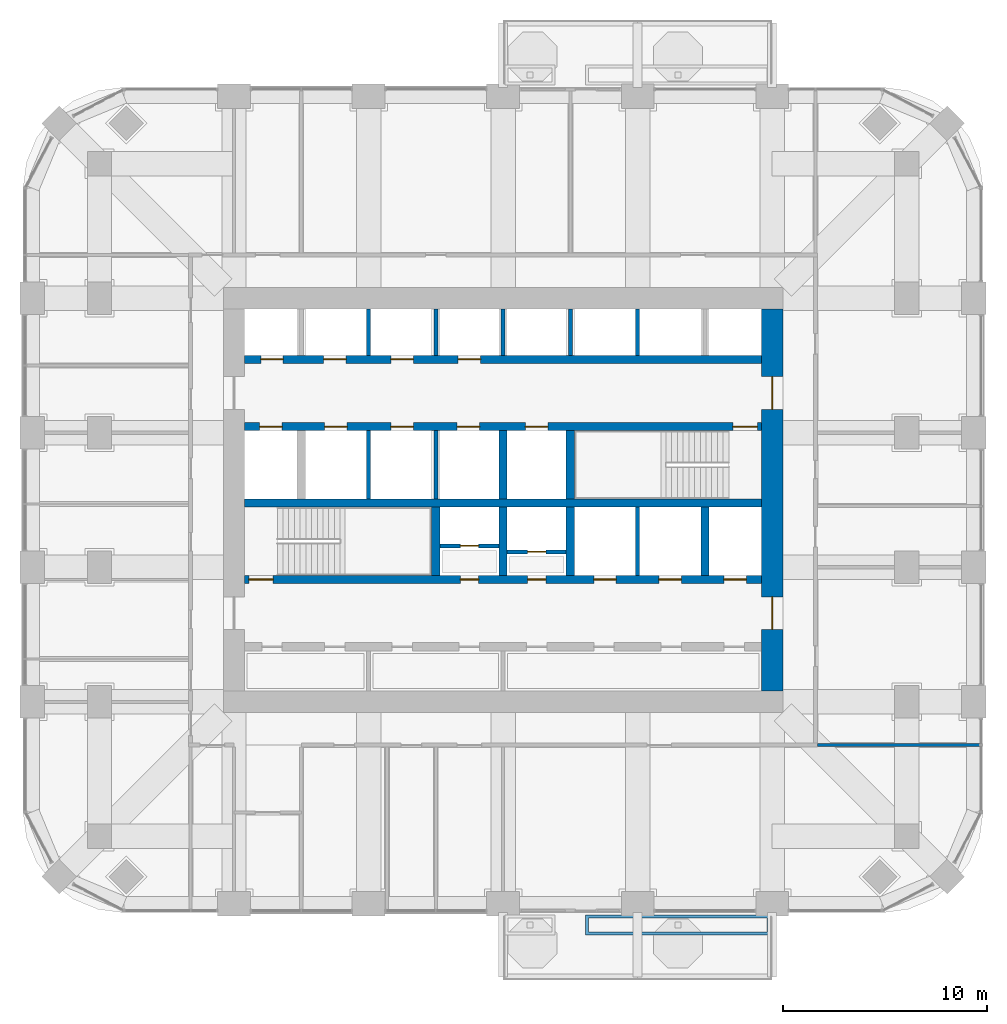
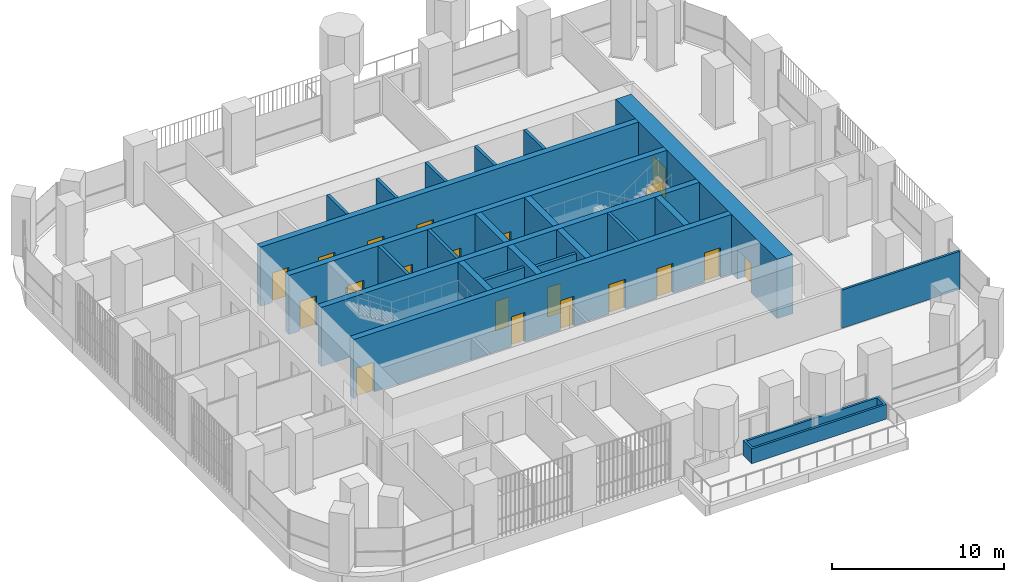
# One storey, part 14 of 19: 23 walls, 20 doors, 20 openings.
"""IFC4 building model written with IfcOpenShell, lengths in metres."""

from ifc_helpers import new_model, si_unit, direction, frame, frame_2d, origin, place, context, subcontext, project, spatial, polyline, rectangle, outline, extrude, material, layer, layer_set, type_object, element, fill, save


model = new_model("IFC4")

# Units and contexts
model_context = context("Model", 3, precision=1e-05, world=origin(), true_north=direction((0.0, 1.0)))
body_context = subcontext(model_context, "Body", "Model", "MODEL_VIEW")
ifc_project = project(units=[si_unit("LENGTHUNIT", "METRE"), si_unit("AREAUNIT", "SQUARE_METRE"), si_unit("VOLUMEUNIT", "CUBIC_METRE"), si_unit("PLANEANGLEUNIT", "RADIAN"), si_unit("MASSUNIT", "GRAM", prefix="KILO")], contexts=[model_context])

# Site, building, storey
site_placement = place(None, origin())
site = spatial("IfcSite", under=ifc_project, at=site_placement, CompositionType="ELEMENT")
building_placement = place(site_placement, origin())
building = spatial("IfcBuilding", under=site, at=building_placement, Name="Cobogo Forest Laboratory Tower", CompositionType="ELEMENT")
storey_placement = place(building_placement, frame((0.0, 0.0, 164.10009765625)))
storey = spatial("IfcBuildingStorey", under=building, at=storey_placement, Name="L37", CompositionType="ELEMENT", Elevation=164.10009765625)

# Wall, openings, doors
ifc_material_1 = material(Name="Concrete HA-50 (C50/60)", Category="concrete")
ifc_layer_1 = layer(ifc_material_1, 0.39990234375)
ifc_layer_set_1 = layer_set([ifc_layer_1], Name="CI400 core inner wall 400")
wall_type_1 = type_object("IfcWallType", Name="CI400 core inner wall 400", PredefinedType="SHEAR", material=ifc_layer_set_1)
wall_1_placement = place(storey_placement, frame((13.72509765625, 19.199951171875, 0.0), z_axis=(0.0, 0.0, 1.0), x_axis=(1.0, 0.0, 0.0)))
wall_1 = element("IfcWall", 1, at=wall_1_placement, inside=storey, type_object=wall_type_1, Name="Core wall CI-19.2 L37", PredefinedType="SHEAR", context=body_context, shape_type="SweptSolid", body=[
    extrude(rectangle(XDim=25.349853515625, YDim=0.39990234375, at=frame_2d((12.6748046875, 0.0))), origin(), (0.0, 0.0, 1.0), 4.199951171875),
])
opening_1_placement = place(wall_1_placement, frame((10.574951171875, 0.0, 0.0)))
opening_1 = element("IfcOpeningElement", 2, at=opening_1_placement, cuts=wall_1, Name="Opening L37-D23", PredefinedType="OPENING", context=body_context, shape_type="SweptSolid", body=[
    extrude(rectangle(XDim=0.89990234375, YDim=2.10009765625, at=frame_2d((0.449951171875, 1.050048828125))), frame((0.0, 0.2099609375, 0.0), z_axis=(0.0, -1.0, 0.0), x_axis=(1.0, 0.0, 0.0)), (0.0, 0.0, 1.0), 0.419921875),
])
opening_2_placement = place(wall_1_placement, frame((13.875, 0.0, 0.0)))
opening_2 = element("IfcOpeningElement", 3, at=opening_2_placement, cuts=wall_1, Name="Opening L37-D24", PredefinedType="OPENING", context=body_context, shape_type="SweptSolid", body=[
    extrude(rectangle(XDim=0.89990234375, YDim=2.10009765625, at=frame_2d((0.449951171875, 1.050048828125))), frame((0.0, 0.2099609375, 0.0), z_axis=(0.0, -1.0, 0.0), x_axis=(1.0, 0.0, 0.0)), (0.0, 0.0, 1.0), 0.419921875),
])
opening_3_placement = place(wall_1_placement, frame((0.199951171875, 0.0, 0.0)))
opening_3 = element("IfcOpeningElement", 4, at=opening_3_placement, cuts=wall_1, Name="Opening L37-D22", PredefinedType="OPENING", context=body_context, shape_type="SweptSolid", body=[
    extrude(rectangle(XDim=1.199951171875, YDim=2.10009765625, at=frame_2d((0.60009765625, 1.050048828125))), frame((0.0, 0.2099609375, 0.0), z_axis=(0.0, -1.0, 0.0), x_axis=(1.0, 0.0, 0.0)), (0.0, 0.0, 1.0), 0.419921875),
])
opening_4_placement = place(wall_1_placement, frame((23.512451171875, 0.0, 0.0)))
opening_4 = element("IfcOpeningElement", 5, at=opening_4_placement, cuts=wall_1, Name="Opening L37-LD-FL2", PredefinedType="OPENING", context=body_context, shape_type="SweptSolid", body=[
    extrude(rectangle(XDim=1.10009765625, YDim=2.10009765625, at=frame_2d((0.550048828125, 1.050048828125))), frame((0.0, 0.2099609375, 0.0), z_axis=(0.0, -1.0, 0.0), x_axis=(1.0, 0.0, 0.0)), (0.0, 0.0, 1.0), 0.419921875),
])
opening_5_placement = place(wall_1_placement, frame((17.125, 0.0, 0.0)))
opening_5 = element("IfcOpeningElement", 6, at=opening_5_placement, cuts=wall_1, Name="Opening L37-LD-LS1", PredefinedType="OPENING", context=body_context, shape_type="SweptSolid", body=[
    extrude(rectangle(XDim=1.10009765625, YDim=2.10009765625, at=frame_2d((0.550048828125, 1.050048828125))), frame((0.0, 0.2099609375, 0.0), z_axis=(0.0, -1.0, 0.0), x_axis=(1.0, 0.0, 0.0)), (0.0, 0.0, 1.0), 0.419921875),
])
opening_6_placement = place(wall_1_placement, frame((20.324951171875, 0.0, 0.0)))
opening_6 = element("IfcOpeningElement", 7, at=opening_6_placement, cuts=wall_1, Name="Opening L37-LD-LS2", PredefinedType="OPENING", context=body_context, shape_type="SweptSolid", body=[
    extrude(rectangle(XDim=1.10009765625, YDim=2.10009765625, at=frame_2d((0.550048828125, 1.050048828125))), frame((0.0, 0.2099609375, 0.0), z_axis=(0.0, -1.0, 0.0), x_axis=(1.0, 0.0, 0.0)), (0.0, 0.0, 1.0), 0.419921875),
])
ifc_material_2 = material(Name="Steel fire door", Category="steel")
door_type_1 = type_object("IfcDoorType", Name="DS1 protected stair door 1200 EI2 60", OperationType="SINGLE_SWING_LEFT", PredefinedType="DOOR", material=ifc_material_2)
door_1_placement = place(opening_3_placement, origin())
door_1 = element("IfcDoor", 8, at=door_1_placement, inside=storey, type_object=door_type_1, Name="Door L37-ST1", OperationType="SINGLE_SWING_LEFT", OverallHeight=2.10009765625, OverallWidth=1.199951171875, PredefinedType="DOOR", context=body_context, shape_type="SweptSolid", body=[
    extrude(rectangle(XDim=1.199951171875, YDim=2.10009765625, at=frame_2d((0.60009765625, 1.050048828125))), frame((0.0, 0.02490234375, 0.0), z_axis=(0.0, -1.0, 0.0), x_axis=(1.0, 0.0, 0.0)), (0.0, 0.0, 1.0), 0.050048828125),
])
fill(opening_3, door_1)
door_type_2 = type_object("IfcDoorType", Name="FD4 riser access door 900 EI2 60", OperationType="SINGLE_SWING_LEFT", PredefinedType="DOOR", material=ifc_material_2)
door_2_placement = place(opening_1_placement, origin())
door_2 = element("IfcDoor", 9, at=door_2_placement, inside=storey, type_object=door_type_2, Name="Door L37-R1V", OperationType="SINGLE_SWING_LEFT", OverallHeight=2.10009765625, OverallWidth=0.89990234375, PredefinedType="DOOR", context=body_context, shape_type="SweptSolid", body=[
    extrude(rectangle(XDim=0.89990234375, YDim=2.10009765625, at=frame_2d((0.449951171875, 1.050048828125))), frame((0.0, 0.02490234375, 0.0), z_axis=(0.0, -1.0, 0.0), x_axis=(1.0, 0.0, 0.0)), (0.0, 0.0, 1.0), 0.050048828125),
])
fill(opening_1, door_2)
door_3_placement = place(opening_2_placement, origin())
door_3 = element("IfcDoor", 10, at=door_3_placement, inside=storey, type_object=door_type_2, Name="Door L37-R2V", OperationType="SINGLE_SWING_RIGHT", OverallHeight=2.10009765625, OverallWidth=0.89990234375, PredefinedType="DOOR", context=body_context, shape_type="SweptSolid", body=[
    extrude(rectangle(XDim=0.89990234375, YDim=2.10009765625, at=frame_2d((0.449951171875, 1.050048828125))), frame((0.0, 0.02490234375, 0.0), z_axis=(0.0, -1.0, 0.0), x_axis=(1.0, 0.0, 0.0)), (0.0, 0.0, 1.0), 0.050048828125),
])
fill(opening_2, door_3)
ifc_material_3 = material(Name="Stainless steel lift door", Category="steel")
door_type_3 = type_object("IfcDoorType", Name="LD lift landing door 1100", OperationType="DOUBLE_DOOR_SLIDING", PredefinedType="DOOR", material=ifc_material_3)
door_4_placement = place(opening_4_placement, origin())
door_4 = element("IfcDoor", 11, at=door_4_placement, inside=storey, type_object=door_type_3, Name="Lift landing door FL2 L37", OperationType="DOUBLE_DOOR_SLIDING", OverallHeight=2.10009765625, OverallWidth=1.10009765625, PredefinedType="DOOR", context=body_context, shape_type="SweptSolid", body=[
    extrude(rectangle(XDim=1.10009765625, YDim=2.10009765625, at=frame_2d((0.550048828125, 1.050048828125))), frame((0.0, 0.02490234375, 0.0), z_axis=(0.0, -1.0, 0.0), x_axis=(1.0, 0.0, 0.0)), (0.0, 0.0, 1.0), 0.050048828125),
])
fill(opening_4, door_4)
door_5_placement = place(opening_5_placement, origin())
door_5 = element("IfcDoor", 12, at=door_5_placement, inside=storey, type_object=door_type_3, Name="Lift landing door LS1 L37", OperationType="DOUBLE_DOOR_SLIDING", OverallHeight=2.10009765625, OverallWidth=1.10009765625, PredefinedType="DOOR", context=body_context, shape_type="SweptSolid", body=[
    extrude(rectangle(XDim=1.10009765625, YDim=2.10009765625, at=frame_2d((0.550048828125, 1.050048828125))), frame((0.0, 0.02490234375, 0.0), z_axis=(0.0, -1.0, 0.0), x_axis=(1.0, 0.0, 0.0)), (0.0, 0.0, 1.0), 0.050048828125),
])
fill(opening_5, door_5)
door_6_placement = place(opening_6_placement, origin())
door_6 = element("IfcDoor", 13, at=door_6_placement, inside=storey, type_object=door_type_3, Name="Lift landing door LS2 L37", OperationType="DOUBLE_DOOR_SLIDING", OverallHeight=2.10009765625, OverallWidth=1.10009765625, PredefinedType="DOOR", context=body_context, shape_type="SweptSolid", body=[
    extrude(rectangle(XDim=1.10009765625, YDim=2.10009765625, at=frame_2d((0.550048828125, 1.050048828125))), frame((0.0, 0.02490234375, 0.0), z_axis=(0.0, -1.0, 0.0), x_axis=(1.0, 0.0, 0.0)), (0.0, 0.0, 1.0), 0.050048828125),
])
fill(opening_6, door_6)

# Wall
wall_2_placement = place(storey_placement, frame((13.72509765625, 22.949951171875, 0.0), z_axis=(0.0, 0.0, 1.0), x_axis=(1.0, 0.0, 0.0)))
element("IfcWall", 14, at=wall_2_placement, inside=storey, type_object=wall_type_1, Name="Core wall CI-22.95 L37", PredefinedType="SHEAR", context=body_context, shape_type="SweptSolid", body=[
    extrude(rectangle(XDim=25.349853515625, YDim=0.39990234375, at=frame_2d((12.6748046875, 0.0))), origin(), (0.0, 0.0, 1.0), 4.199951171875),
])

# Wall, openings, doors
wall_3_placement = place(storey_placement, frame((13.72509765625, 26.699951171875, 0.0), z_axis=(0.0, 0.0, 1.0), x_axis=(1.0, 0.0, 0.0)))
wall_3 = element("IfcWall", 15, at=wall_3_placement, inside=storey, type_object=wall_type_1, Name="Core wall CI-26.7 L37", PredefinedType="SHEAR", context=body_context, shape_type="SweptSolid", body=[
    extrude(rectangle(XDim=25.349853515625, YDim=0.39990234375, at=frame_2d((12.6748046875, 0.0))), origin(), (0.0, 0.0, 1.0), 4.199951171875),
])
opening_7_placement = place(wall_3_placement, frame((23.949951171875, 0.0, 0.0)))
opening_7 = element("IfcOpeningElement", 16, at=opening_7_placement, cuts=wall_3, Name="Opening L37-D31", PredefinedType="OPENING", context=body_context, shape_type="SweptSolid", body=[
    extrude(rectangle(XDim=1.199951171875, YDim=2.10009765625, at=frame_2d((0.60009765625, 1.050048828125))), frame((0.0, 0.2099609375, 0.0), z_axis=(0.0, -1.0, 0.0), x_axis=(1.0, 0.0, 0.0)), (0.0, 0.0, 1.0), 0.419921875),
])
opening_8_placement = place(wall_3_placement, frame((0.737548828125, 0.0, 0.0)))
opening_8 = element("IfcOpeningElement", 17, at=opening_8_placement, cuts=wall_3, Name="Opening L37-LD-FL1", PredefinedType="OPENING", context=body_context, shape_type="SweptSolid", body=[
    extrude(rectangle(XDim=1.10009765625, YDim=2.10009765625, at=frame_2d((0.550048828125, 1.050048828125))), frame((0.0, 0.2099609375, 0.0), z_axis=(0.0, -1.0, 0.0), x_axis=(1.0, 0.0, 0.0)), (0.0, 0.0, 1.0), 0.419921875),
])
opening_9_placement = place(wall_3_placement, frame((3.925048828125, 0.0, 0.0)))
opening_9 = element("IfcOpeningElement", 18, at=opening_9_placement, cuts=wall_3, Name="Opening L37-LD-LS3", PredefinedType="OPENING", context=body_context, shape_type="SweptSolid", body=[
    extrude(rectangle(XDim=1.10009765625, YDim=2.10009765625, at=frame_2d((0.550048828125, 1.050048828125))), frame((0.0, 0.2099609375, 0.0), z_axis=(0.0, -1.0, 0.0), x_axis=(1.0, 0.0, 0.0)), (0.0, 0.0, 1.0), 0.419921875),
])
opening_10_placement = place(wall_3_placement, frame((7.175048828125, 0.0, 0.0)))
opening_10 = element("IfcOpeningElement", 19, at=opening_10_placement, cuts=wall_3, Name="Opening L37-LD-LS4", PredefinedType="OPENING", context=body_context, shape_type="SweptSolid", body=[
    extrude(rectangle(XDim=1.10009765625, YDim=2.10009765625, at=frame_2d((0.550048828125, 1.050048828125))), frame((0.0, 0.2099609375, 0.0), z_axis=(0.0, -1.0, 0.0), x_axis=(1.0, 0.0, 0.0)), (0.0, 0.0, 1.0), 0.419921875),
])
opening_11_placement = place(wall_3_placement, frame((10.425048828125, 0.0, 0.0)))
opening_11 = element("IfcOpeningElement", 20, at=opening_11_placement, cuts=wall_3, Name="Opening L37-LD-LS5", PredefinedType="OPENING", context=body_context, shape_type="SweptSolid", body=[
    extrude(rectangle(XDim=1.10009765625, YDim=2.10009765625, at=frame_2d((0.550048828125, 1.050048828125))), frame((0.0, 0.2099609375, 0.0), z_axis=(0.0, -1.0, 0.0), x_axis=(1.0, 0.0, 0.0)), (0.0, 0.0, 1.0), 0.419921875),
])
opening_12_placement = place(wall_3_placement, frame((13.77490234375, 0.0, 0.0)))
opening_12 = element("IfcOpeningElement", 21, at=opening_12_placement, cuts=wall_3, Name="Opening L37-LD-LS6", PredefinedType="OPENING", context=body_context, shape_type="SweptSolid", body=[
    extrude(rectangle(XDim=1.10009765625, YDim=2.10009765625, at=frame_2d((0.550048828125, 1.050048828125))), frame((0.0, 0.2099609375, 0.0), z_axis=(0.0, -1.0, 0.0), x_axis=(1.0, 0.0, 0.0)), (0.0, 0.0, 1.0), 0.419921875),
])
door_7_placement = place(opening_7_placement, origin())
door_7 = element("IfcDoor", 22, at=door_7_placement, inside=storey, type_object=door_type_1, Name="Door L37-ST2", OperationType="SINGLE_SWING_RIGHT", OverallHeight=2.10009765625, OverallWidth=1.199951171875, PredefinedType="DOOR", context=body_context, shape_type="SweptSolid", body=[
    extrude(rectangle(XDim=1.199951171875, YDim=2.10009765625, at=frame_2d((0.60009765625, 1.050048828125))), frame((0.0, 0.02490234375, 0.0), z_axis=(0.0, -1.0, 0.0), x_axis=(1.0, 0.0, 0.0)), (0.0, 0.0, 1.0), 0.050048828125),
])
fill(opening_7, door_7)
door_8_placement = place(opening_8_placement, origin())
door_8 = element("IfcDoor", 23, at=door_8_placement, inside=storey, type_object=door_type_3, Name="Lift landing door FL1 L37", OperationType="DOUBLE_DOOR_SLIDING", OverallHeight=2.10009765625, OverallWidth=1.10009765625, PredefinedType="DOOR", context=body_context, shape_type="SweptSolid", body=[
    extrude(rectangle(XDim=1.10009765625, YDim=2.10009765625, at=frame_2d((0.550048828125, 1.050048828125))), frame((0.0, 0.02490234375, 0.0), z_axis=(0.0, -1.0, 0.0), x_axis=(1.0, 0.0, 0.0)), (0.0, 0.0, 1.0), 0.050048828125),
])
fill(opening_8, door_8)
door_9_placement = place(opening_9_placement, origin())
door_9 = element("IfcDoor", 24, at=door_9_placement, inside=storey, type_object=door_type_3, Name="Lift landing door LS3 L37", OperationType="DOUBLE_DOOR_SLIDING", OverallHeight=2.10009765625, OverallWidth=1.10009765625, PredefinedType="DOOR", context=body_context, shape_type="SweptSolid", body=[
    extrude(rectangle(XDim=1.10009765625, YDim=2.10009765625, at=frame_2d((0.550048828125, 1.050048828125))), frame((0.0, 0.02490234375, 0.0), z_axis=(0.0, -1.0, 0.0), x_axis=(1.0, 0.0, 0.0)), (0.0, 0.0, 1.0), 0.050048828125),
])
fill(opening_9, door_9)
door_10_placement = place(opening_10_placement, origin())
door_10 = element("IfcDoor", 25, at=door_10_placement, inside=storey, type_object=door_type_3, Name="Lift landing door LS4 L37", OperationType="DOUBLE_DOOR_SLIDING", OverallHeight=2.10009765625, OverallWidth=1.10009765625, PredefinedType="DOOR", context=body_context, shape_type="SweptSolid", body=[
    extrude(rectangle(XDim=1.10009765625, YDim=2.10009765625, at=frame_2d((0.550048828125, 1.050048828125))), frame((0.0, 0.02490234375, 0.0), z_axis=(0.0, -1.0, 0.0), x_axis=(1.0, 0.0, 0.0)), (0.0, 0.0, 1.0), 0.050048828125),
])
fill(opening_10, door_10)
door_11_placement = place(opening_11_placement, origin())
door_11 = element("IfcDoor", 26, at=door_11_placement, inside=storey, type_object=door_type_3, Name="Lift landing door LS5 L37", OperationType="DOUBLE_DOOR_SLIDING", OverallHeight=2.10009765625, OverallWidth=1.10009765625, PredefinedType="DOOR", context=body_context, shape_type="SweptSolid", body=[
    extrude(rectangle(XDim=1.10009765625, YDim=2.10009765625, at=frame_2d((0.550048828125, 1.050048828125))), frame((0.0, 0.02490234375, 0.0), z_axis=(0.0, -1.0, 0.0), x_axis=(1.0, 0.0, 0.0)), (0.0, 0.0, 1.0), 0.050048828125),
])
fill(opening_11, door_11)
door_12_placement = place(opening_12_placement, origin())
door_12 = element("IfcDoor", 27, at=door_12_placement, inside=storey, type_object=door_type_3, Name="Lift landing door LS6 L37", OperationType="DOUBLE_DOOR_SLIDING", OverallHeight=2.10009765625, OverallWidth=1.10009765625, PredefinedType="DOOR", context=body_context, shape_type="SweptSolid", body=[
    extrude(rectangle(XDim=1.10009765625, YDim=2.10009765625, at=frame_2d((0.550048828125, 1.050048828125))), frame((0.0, 0.02490234375, 0.0), z_axis=(0.0, -1.0, 0.0), x_axis=(1.0, 0.0, 0.0)), (0.0, 0.0, 1.0), 0.050048828125),
])
fill(opening_12, door_12)

wall_4_placement = place(storey_placement, frame((13.72509765625, 30.0, 0.0), z_axis=(0.0, 0.0, 1.0), x_axis=(1.0, 0.0, 0.0)))
wall_4 = element("IfcWall", 28, at=wall_4_placement, inside=storey, type_object=wall_type_1, Name="Core wall CI-30.0 L37", PredefinedType="SHEAR", context=body_context, shape_type="SweptSolid", body=[
    extrude(rectangle(XDim=25.349853515625, YDim=0.39990234375, at=frame_2d((12.6748046875, 0.0))), origin(), (0.0, 0.0, 1.0), 4.199951171875),
])
opening_13_placement = place(wall_4_placement, frame((0.78759765625, 0.0, 0.0)))
opening_13 = element("IfcOpeningElement", 29, at=opening_13_placement, cuts=wall_4, Name="Opening L37-LD-LC1", PredefinedType="OPENING", context=body_context, shape_type="SweptSolid", body=[
    extrude(rectangle(XDim=1.10009765625, YDim=2.10009765625, at=frame_2d((0.550048828125, 1.050048828125))), frame((0.0, 0.2099609375, 0.0), z_axis=(0.0, -1.0, 0.0), x_axis=(1.0, 0.0, 0.0)), (0.0, 0.0, 1.0), 0.419921875),
])
opening_14_placement = place(wall_4_placement, frame((3.875, 0.0, 0.0)))
opening_14 = element("IfcOpeningElement", 30, at=opening_14_placement, cuts=wall_4, Name="Opening L37-LD-LC2", PredefinedType="OPENING", context=body_context, shape_type="SweptSolid", body=[
    extrude(rectangle(XDim=1.10009765625, YDim=2.10009765625, at=frame_2d((0.550048828125, 1.050048828125))), frame((0.0, 0.2099609375, 0.0), z_axis=(0.0, -1.0, 0.0), x_axis=(1.0, 0.0, 0.0)), (0.0, 0.0, 1.0), 0.419921875),
])
opening_15_placement = place(wall_4_placement, frame((7.175048828125, 0.0, 0.0)))
opening_15 = element("IfcOpeningElement", 31, at=opening_15_placement, cuts=wall_4, Name="Opening L37-LD-LC3", PredefinedType="OPENING", context=body_context, shape_type="SweptSolid", body=[
    extrude(rectangle(XDim=1.10009765625, YDim=2.10009765625, at=frame_2d((0.550048828125, 1.050048828125))), frame((0.0, 0.2099609375, 0.0), z_axis=(0.0, -1.0, 0.0), x_axis=(1.0, 0.0, 0.0)), (0.0, 0.0, 1.0), 0.419921875),
])
opening_16_placement = place(wall_4_placement, frame((10.47509765625, 0.0, 0.0)))
opening_16 = element("IfcOpeningElement", 32, at=opening_16_placement, cuts=wall_4, Name="Opening L37-LD-LC4", PredefinedType="OPENING", context=body_context, shape_type="SweptSolid", body=[
    extrude(rectangle(XDim=1.10009765625, YDim=2.10009765625, at=frame_2d((0.550048828125, 1.050048828125))), frame((0.0, 0.2099609375, 0.0), z_axis=(0.0, -1.0, 0.0), x_axis=(1.0, 0.0, 0.0)), (0.0, 0.0, 1.0), 0.419921875),
])
door_13_placement = place(opening_13_placement, origin())
door_13 = element("IfcDoor", 33, at=door_13_placement, inside=storey, type_object=door_type_3, Name="Lift landing door LC1 L37", OperationType="DOUBLE_DOOR_SLIDING", OverallHeight=2.10009765625, OverallWidth=1.10009765625, PredefinedType="DOOR", context=body_context, shape_type="SweptSolid", body=[
    extrude(rectangle(XDim=1.10009765625, YDim=2.10009765625, at=frame_2d((0.550048828125, 1.050048828125))), frame((0.0, 0.02490234375, 0.0), z_axis=(0.0, -1.0, 0.0), x_axis=(1.0, 0.0, 0.0)), (0.0, 0.0, 1.0), 0.050048828125),
])
fill(opening_13, door_13)
door_14_placement = place(opening_14_placement, origin())
door_14 = element("IfcDoor", 34, at=door_14_placement, inside=storey, type_object=door_type_3, Name="Lift landing door LC2 L37", OperationType="DOUBLE_DOOR_SLIDING", OverallHeight=2.10009765625, OverallWidth=1.10009765625, PredefinedType="DOOR", context=body_context, shape_type="SweptSolid", body=[
    extrude(rectangle(XDim=1.10009765625, YDim=2.10009765625, at=frame_2d((0.550048828125, 1.050048828125))), frame((0.0, 0.02490234375, 0.0), z_axis=(0.0, -1.0, 0.0), x_axis=(1.0, 0.0, 0.0)), (0.0, 0.0, 1.0), 0.050048828125),
])
fill(opening_14, door_14)
door_15_placement = place(opening_15_placement, origin())
door_15 = element("IfcDoor", 35, at=door_15_placement, inside=storey, type_object=door_type_3, Name="Lift landing door LC3 L37", OperationType="DOUBLE_DOOR_SLIDING", OverallHeight=2.10009765625, OverallWidth=1.10009765625, PredefinedType="DOOR", context=body_context, shape_type="SweptSolid", body=[
    extrude(rectangle(XDim=1.10009765625, YDim=2.10009765625, at=frame_2d((0.550048828125, 1.050048828125))), frame((0.0, 0.02490234375, 0.0), z_axis=(0.0, -1.0, 0.0), x_axis=(1.0, 0.0, 0.0)), (0.0, 0.0, 1.0), 0.050048828125),
])
fill(opening_15, door_15)
door_16_placement = place(opening_16_placement, origin())
door_16 = element("IfcDoor", 36, at=door_16_placement, inside=storey, type_object=door_type_3, Name="Lift landing door LC4 L37", OperationType="DOUBLE_DOOR_SLIDING", OverallHeight=2.10009765625, OverallWidth=1.10009765625, PredefinedType="DOOR", context=body_context, shape_type="SweptSolid", body=[
    extrude(rectangle(XDim=1.10009765625, YDim=2.10009765625, at=frame_2d((0.550048828125, 1.050048828125))), frame((0.0, 0.02490234375, 0.0), z_axis=(0.0, -1.0, 0.0), x_axis=(1.0, 0.0, 0.0)), (0.0, 0.0, 1.0), 0.050048828125),
])
fill(opening_16, door_16)

# Walls
for number, where, z_axis, x_axis, name in (
    (37, (23.10009765625, 19.39990234375, 0.0), (0.0, 0.0, 1.0), (0.0, 1.0, 0.0), "Core wall CX-23.1 L37"),
    (38, (26.39990234375, 19.39990234375, 0.0), (0.0, 0.0, 1.0), (0.0, 1.0, 0.0), "Core wall CX-26.4S L37"),
    (39, (29.699951171875, 19.39990234375, 0.0), (0.0, 0.0, 1.0), (0.0, 1.0, 0.0), "Core wall CX-29.7S L37"),
    (40, (36.300048828125, 19.39990234375, 0.0), (0.0, 0.0, 1.0), (0.0, 1.0, 0.0), "Core wall CX-36.3 L37"),
    (41, (26.39990234375, 23.14990234375, 0.0), (0.0, 0.0, 1.0), (0.0, 1.0, 0.0), "Core wall CX-26.4N L37"),
    (42, (29.699951171875, 23.14990234375, 0.0), (0.0, 0.0, 1.0), (0.0, 1.0, 0.0), "Core wall CX-29.7N L37"),
):
    element("IfcWall", number, at=place(storey_placement, frame(where, z_axis=z_axis, x_axis=x_axis)), inside=storey, type_object=wall_type_1, Name=name, PredefinedType="SHEAR", context=body_context, shape_type="SweptSolid", body=[
        extrude(rectangle(XDim=3.35009765625, YDim=0.39990234375, at=frame_2d((1.675048828125, 0.0))), origin(), (0.0, 0.0, 1.0), 4.199951171875),
    ])

# Wall, openings, doors
ifc_layer_2 = layer(ifc_material_1, 1.050048828125)
ifc_layer_set_2 = layer_set([ifc_layer_2], Name="CW1050 core outer wall 1050")
wall_type_2 = type_object("IfcWallType", Name="CW1050 core outer wall 1050", PredefinedType="SHEAR", material=ifc_layer_set_2)
wall_5_placement = place(storey_placement, frame((39.60009765625, 13.72509765625, 0.0), z_axis=(0.0, 0.0, 1.0), x_axis=(0.0, 1.0, 0.0)))
wall_5 = element("IfcWall", 43, at=wall_5_placement, inside=storey, type_object=wall_type_2, Name="Core wall CO-E L37", PredefinedType="SHEAR", context=body_context, shape_type="SweptSolid", body=[
    extrude(rectangle(XDim=18.75, YDim=1.050048828125, at=frame_2d((9.375, 0.0))), origin(), (0.0, 0.0, 1.0), 4.199951171875),
])
opening_17_placement = place(wall_5_placement, frame((3.02490234375, 0.0, 0.0)))
opening_17 = element("IfcOpeningElement", 44, at=opening_17_placement, cuts=wall_5, Name="Opening L37-D21", PredefinedType="OPENING", context=body_context, shape_type="SweptSolid", body=[
    extrude(rectangle(XDim=1.60009765625, YDim=2.10009765625, at=frame_2d((0.800048828125, 1.050048828125))), frame((0.0, 0.534912109375, 0.0), z_axis=(0.0, -1.0, 0.0), x_axis=(1.0, 0.0, 0.0)), (0.0, 0.0, 1.0), 1.070068359375),
])
opening_18_placement = place(wall_5_placement, frame((13.824951171875, 0.0, 0.0)))
opening_18 = element("IfcOpeningElement", 45, at=opening_18_placement, cuts=wall_5, Name="Opening L37-D34", PredefinedType="OPENING", context=body_context, shape_type="SweptSolid", body=[
    extrude(rectangle(XDim=1.60009765625, YDim=2.10009765625, at=frame_2d((0.800048828125, 1.050048828125))), frame((0.0, 0.534912109375, 0.0), z_axis=(0.0, -1.0, 0.0), x_axis=(1.0, 0.0, 0.0)), (0.0, 0.0, 1.0), 1.070068359375),
])
door_type_4 = type_object("IfcDoorType", Name="DS2 protected lobby door pair 1600 EI2 60", OperationType="DOUBLE_DOOR_DOUBLE_SWING", PredefinedType="DOOR", material=ifc_material_2)
door_17_placement = place(opening_17_placement, origin())
door_17 = element("IfcDoor", 46, at=door_17_placement, inside=storey, type_object=door_type_4, Name="Door L37-CO-E-S", OperationType="DOUBLE_DOOR_DOUBLE_SWING", OverallHeight=2.10009765625, OverallWidth=1.60009765625, PredefinedType="DOOR", context=body_context, shape_type="SweptSolid", body=[
    extrude(rectangle(XDim=1.60009765625, YDim=2.10009765625, at=frame_2d((0.800048828125, 1.050048828125))), frame((0.0, 0.02490234375, 0.0), z_axis=(0.0, -1.0, 0.0), x_axis=(1.0, 0.0, 0.0)), (0.0, 0.0, 1.0), 0.050048828125),
])
fill(opening_17, door_17)
door_18_placement = place(opening_18_placement, origin())
door_18 = element("IfcDoor", 47, at=door_18_placement, inside=storey, type_object=door_type_4, Name="Door L37-CO-E-N", OperationType="DOUBLE_DOOR_DOUBLE_SWING", OverallHeight=2.10009765625, OverallWidth=1.60009765625, PredefinedType="DOOR", context=body_context, shape_type="SweptSolid", body=[
    extrude(rectangle(XDim=1.60009765625, YDim=2.10009765625, at=frame_2d((0.800048828125, 1.050048828125))), frame((0.0, 0.02490234375, 0.0), z_axis=(0.0, -1.0, 0.0), x_axis=(1.0, 0.0, 0.0)), (0.0, 0.0, 1.0), 0.050048828125),
])
fill(opening_18, door_18)

# Wall
ifc_material_4 = material(Name="Gypsum board on steel studs", Category="steel")
ifc_layer_3 = layer(ifc_material_4, 0.14990234375)
ifc_layer_set_3 = layer_set([ifc_layer_3], Name="PT1 laboratory partition 150")
wall_type_3 = type_object("IfcWallType", Name="PT1 laboratory partition 150", PredefinedType="PARTITIONING", material=ifc_layer_set_3)
wall_6_placement = place(storey_placement, frame((49.77001953125, 11.074951171875, 0.0), z_axis=(0.0, 0.0, 1.0), x_axis=(-1.0, 0.0, 0.0)))
element("IfcWall", 48, at=wall_6_placement, inside=storey, type_object=wall_type_3, Name="Partition PW-SE L37", PredefinedType="PARTITIONING", context=body_context, shape_type="SweptSolid", body=[
    extrude(rectangle(XDim=7.945068359375, YDim=0.14990234375, at=frame_2d((3.97265625, 0.0))), origin(), (0.0, 0.0, 1.0), 2.699951171875),
])

# Wall, opening, door
ifc_layer_4 = layer(ifc_material_4, 0.199951171875)
ifc_layer_set_4 = layer_set([ifc_layer_4], Name="PT2 fire-rated corridor partition 200")
wall_type_4 = type_object("IfcWallType", Name="PT2 fire-rated corridor partition 200", PredefinedType="PARTITIONING", material=ifc_layer_set_4)
wall_7_placement = place(storey_placement, frame((23.300048828125, 20.85009765625, 0.0), z_axis=(0.0, 0.0, 1.0), x_axis=(1.0, 0.0, 0.0)))
wall_7 = element("IfcWall", 49, at=wall_7_placement, inside=storey, type_object=wall_type_4, Name="Partition RSPLIT-R1 L37", PredefinedType="PARTITIONING", context=body_context, shape_type="SweptSolid", body=[
    extrude(rectangle(XDim=2.89990234375, YDim=0.199951171875, at=frame_2d((1.449951171875, 0.0))), origin(), (0.0, 0.0, 1.0), 3.89990234375),
])
opening_19_placement = place(wall_7_placement, frame((1.0, 0.0, 0.0)))
opening_19 = element("IfcOpeningElement", 50, at=opening_19_placement, cuts=wall_7, Name="Opening L37-D26", PredefinedType="OPENING", context=body_context, shape_type="SweptSolid", body=[
    extrude(rectangle(XDim=0.89990234375, YDim=2.10009765625, at=frame_2d((0.449951171875, 1.050048828125))), frame((0.0, 0.10986328125, 0.0), z_axis=(0.0, -1.0, 0.0), x_axis=(1.0, 0.0, 0.0)), (0.0, 0.0, 1.0), 0.219970703125),
])
door_19_placement = place(opening_19_placement, origin())
door_19 = element("IfcDoor", 51, at=door_19_placement, inside=storey, type_object=door_type_2, Name="Door L37-R1", OperationType="SINGLE_SWING_LEFT", OverallHeight=2.10009765625, OverallWidth=0.89990234375, PredefinedType="DOOR", context=body_context, shape_type="SweptSolid", body=[
    extrude(rectangle(XDim=0.89990234375, YDim=2.10009765625, at=frame_2d((0.449951171875, 1.050048828125))), frame((0.0, 0.02490234375, 0.0), z_axis=(0.0, -1.0, 0.0), x_axis=(1.0, 0.0, 0.0)), (0.0, 0.0, 1.0), 0.050048828125),
])
fill(opening_19, door_19)

wall_8_placement = place(storey_placement, frame((26.60009765625, 20.550048828125, 0.0), z_axis=(0.0, 0.0, 1.0), x_axis=(1.0, 0.0, 0.0)))
wall_8 = element("IfcWall", 52, at=wall_8_placement, inside=storey, type_object=wall_type_4, Name="Partition RSPLIT-R2 L37", PredefinedType="PARTITIONING", context=body_context, shape_type="SweptSolid", body=[
    extrude(rectangle(XDim=2.89990234375, YDim=0.199951171875, at=frame_2d((1.449951171875, 0.0))), origin(), (0.0, 0.0, 1.0), 3.89990234375),
])
opening_20_placement = place(wall_8_placement, frame((1.0, 0.0, 0.0)))
opening_20 = element("IfcOpeningElement", 53, at=opening_20_placement, cuts=wall_8, Name="Opening L37-D25", PredefinedType="OPENING", context=body_context, shape_type="SweptSolid", body=[
    extrude(rectangle(XDim=0.89990234375, YDim=2.10009765625, at=frame_2d((0.449951171875, 1.050048828125))), frame((0.0, 0.10986328125, 0.0), z_axis=(0.0, -1.0, 0.0), x_axis=(1.0, 0.0, 0.0)), (0.0, 0.0, 1.0), 0.219970703125),
])
door_20_placement = place(opening_20_placement, origin())
door_20 = element("IfcDoor", 54, at=door_20_placement, inside=storey, type_object=door_type_2, Name="Door L37-R2", OperationType="SINGLE_SWING_LEFT", OverallHeight=2.10009765625, OverallWidth=0.89990234375, PredefinedType="DOOR", context=body_context, shape_type="SweptSolid", body=[
    extrude(rectangle(XDim=0.89990234375, YDim=2.10009765625, at=frame_2d((0.449951171875, 1.050048828125))), frame((0.0, 0.02490234375, 0.0), z_axis=(0.0, -1.0, 0.0), x_axis=(1.0, 0.0, 0.0)), (0.0, 0.0, 1.0), 0.050048828125),
])
fill(opening_20, door_20)

# Walls
ifc_material_5 = material(Name="Concrete HA-40 (C40/50)", Category="concrete")
ifc_layer_5 = layer(ifc_material_5, 0.14990234375)
ifc_layer_set_5 = layer_set([ifc_layer_5], Name="Planter box 1000x1050")
wall_type_5 = type_object("IfcWallType", Name="Planter box 1000x1050", PredefinedType="USERDEFINED", material=ifc_layer_set_5)
wall_9_placement = place(storey_placement, origin())
element("IfcWall", 55, at=wall_9_placement, inside=storey, type_object=wall_type_5, Name="Planter BAL-S1-2 L37", ObjectType="PLANTER", PredefinedType="USERDEFINED", context=body_context, shape_type="SweptSolid", body=[
    extrude(outline(polyline([(30.449951171875, 1.75), (39.5, 1.75), (39.5, 2.75), (30.449951171875, 2.75), (30.449951171875, 1.75)]), holes=[polyline([(30.60009765625, 1.89990234375), (39.35009765625, 1.89990234375), (39.35009765625, 2.60009765625), (30.60009765625, 2.60009765625), (30.60009765625, 1.89990234375)])]), origin(), (0.0, 0.0, 1.0), 1.0498046875),
])
ifc_material_6 = material(Name="Concrete block", Category="concrete")
ifc_layer_6 = layer(ifc_material_6, 0.199951171875)
ifc_layer_set_6 = layer_set([ifc_layer_6], Name="SW200 lift shaft separator 200")
wall_type_6 = type_object("IfcWallType", Name="SW200 lift shaft separator 200", PredefinedType="PARTITIONING", material=ifc_layer_set_6)
for number, where, z_axis, x_axis, name in (
    (56, (19.800048828125, 30.199951171875, 0.0), (0.0, 0.0, 1.0), (0.0, 1.0, 0.0), "Core wall SEP-N2 L37"),
    (57, (23.10009765625, 30.199951171875, 0.0), (0.0, 0.0, 1.0), (0.0, 1.0, 0.0), "Core wall SEP-N3 L37"),
    (58, (26.39990234375, 30.199951171875, 0.0), (0.0, 0.0, 1.0), (0.0, 1.0, 0.0), "Core wall SEP-N4 L37"),
    (59, (29.699951171875, 30.199951171875, 0.0), (0.0, 0.0, 1.0), (0.0, 1.0, 0.0), "Core wall SEP-N5 L37"),
    (60, (33.0, 30.199951171875, 0.0), (0.0, 0.0, 1.0), (0.0, 1.0, 0.0), "Core wall SEP-N6 L37"),
):
    element("IfcWall", number, at=place(storey_placement, frame(where, z_axis=z_axis, x_axis=x_axis)), inside=storey, type_object=wall_type_6, Name=name, PredefinedType="PARTITIONING", context=body_context, shape_type="SweptSolid", body=[
        extrude(rectangle(XDim=2.275146484375, YDim=0.199951171875, at=frame_2d((1.1376953125, 0.0))), origin(), (0.0, 0.0, 1.0), 4.199951171875),
    ])
for number, where, z_axis, x_axis, name in (
    (61, (33.0, 19.39990234375, 0.0), (0.0, 0.0, 1.0), (0.0, 1.0, 0.0), "Core wall SEP-M33.0 L37"),
    (62, (19.800048828125, 23.14990234375, 0.0), (0.0, 0.0, 1.0), (0.0, 1.0, 0.0), "Core wall SEP-M19.8 L37"),
    (63, (23.10009765625, 23.14990234375, 0.0), (0.0, 0.0, 1.0), (0.0, 1.0, 0.0), "Core wall SEP-M23.1 L37"),
):
    element("IfcWall", number, at=place(storey_placement, frame(where, z_axis=z_axis, x_axis=x_axis)), inside=storey, type_object=wall_type_6, Name=name, PredefinedType="PARTITIONING", context=body_context, shape_type="SweptSolid", body=[
        extrude(rectangle(XDim=3.35009765625, YDim=0.199951171875, at=frame_2d((1.675048828125, 0.0))), origin(), (0.0, 0.0, 1.0), 4.199951171875),
    ])

save(model, "model.ifc")
